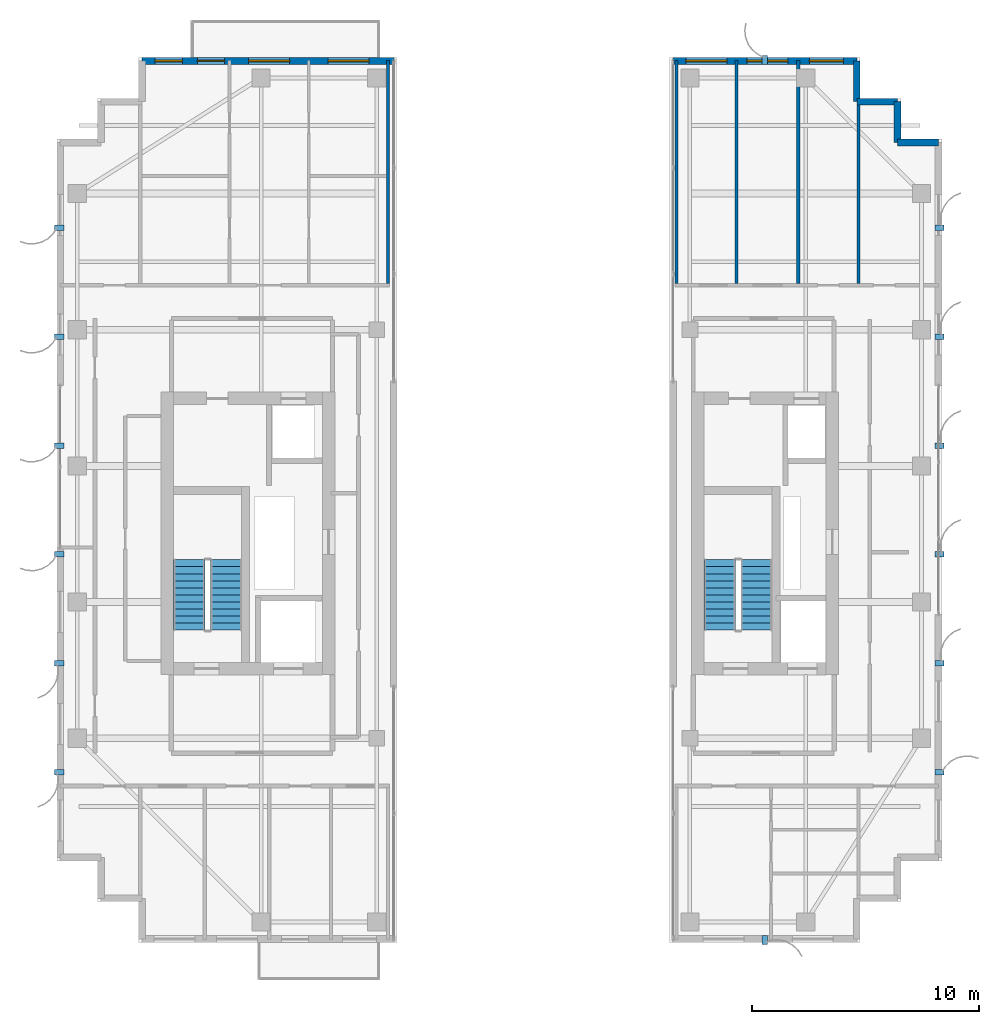
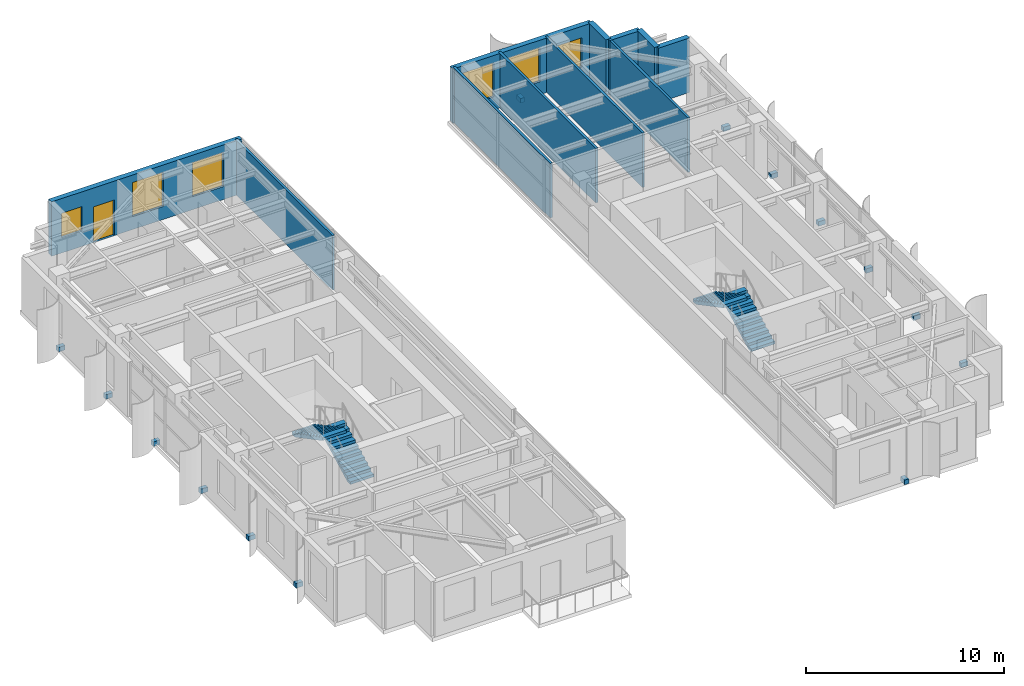
# One storey, part 20 of 23: 14 discrete accessories, 11 walls, 6 windows, 4 stair flights, 1 door, 7 openings, 2 elements without a shape of their own.
"""IFC4 building model written with IfcOpenShell, lengths in metres."""

from ifc_helpers import new_model, si_unit, direction, frame, frame_2d, origin, origin_2d, place, context, subcontext, project, spatial, polyline, rectangle, outline, extrude, source, transform, mapped, material, layer, layer_set, type_object, element, fill, aggregate, save


model = new_model("IFC4")

# Units and contexts
model_context = context("Model", 3, precision=1e-05, world=origin(), true_north=direction((0.0, 1.0)))
body_context = subcontext(model_context, "Body", "Model", "MODEL_VIEW")
ifc_project = project(units=[si_unit("LENGTHUNIT", "METRE"), si_unit("AREAUNIT", "SQUARE_METRE"), si_unit("VOLUMEUNIT", "CUBIC_METRE"), si_unit("PLANEANGLEUNIT", "RADIAN"), si_unit("MASSUNIT", "GRAM", prefix="KILO")], contexts=[model_context])

# Site, building, storey
site_placement = place(None, origin())
site = spatial("IfcSite", under=ifc_project, at=site_placement, CompositionType="ELEMENT")
building_placement = place(site_placement, origin())
building = spatial("IfcBuilding", under=site, at=building_placement, Name="Khoralis Quay Care Tower", CompositionType="ELEMENT")
storey_placement = place(building_placement, frame((0.0, 0.0, 245.699951171875)))
storey = spatial("IfcBuildingStorey", under=building, at=storey_placement, Name="L64", CompositionType="ELEMENT", Elevation=245.699951171875)

# Wall, openings, windows, door
ifc_material_1 = material(Name="Precast concrete C45/55", Category="concrete")
ifc_layer_1 = layer(ifc_material_1, 0.300048828125)
ifc_layer_set_1 = layer_set([ifc_layer_1], Name="Precast concrete C45/55")
wall_type_1 = type_object("IfcWallType", Name="WL-EXT-REF-300", PredefinedType="SOLIDWALL", material=ifc_layer_set_1)
wall_1_placement = place(storey_placement, frame((17.85009765625, 41.85009765625, 0.0), z_axis=(0.0, 0.0, 1.0), x_axis=(-1.0, 0.0, 0.0)))
wall_1 = element("IfcWall", 1, at=wall_1_placement, inside=storey, type_object=wall_type_1, Name="L64 External Facade Wall WL-EXT-L64-P1-E2", PredefinedType="SOLIDWALL", context=body_context, shape_type="SweptSolid", body=[
    extrude(rectangle(XDim=11.10009765625, YDim=0.300048828125, at=frame_2d((5.550048828125, 0.0))), origin(), (0.0, 0.0, 1.0), 3.360107421875),
])
opening_1_placement = place(wall_1_placement, frame((1.096923828125, 0.0, 0.800048828125)))
opening_1 = element("IfcOpeningElement", 2, at=opening_1_placement, cuts=wall_1, Name="Opening W2", PredefinedType="OPENING", context=body_context, shape_type="SweptSolid", body=[
    extrude(rectangle(XDim=1.800048828125, YDim=2.10009765625, at=frame_2d((0.89990234375, 1.050048828125))), frame((0.0, 0.16015625, 0.0), z_axis=(0.0, -1.0, 0.0), x_axis=(1.0, 0.0, 0.0)), (0.0, 0.0, 1.0), 0.320068359375),
])
opening_2_placement = place(wall_1_placement, frame((4.591552734375, 0.0, 0.800048828125)))
opening_2 = element("IfcOpeningElement", 3, at=opening_2_placement, cuts=wall_1, Name="Opening W2", PredefinedType="OPENING", context=body_context, shape_type="SweptSolid", body=[
    extrude(rectangle(XDim=1.800048828125, YDim=2.10009765625, at=frame_2d((0.89990234375, 1.050048828125))), frame((0.0, 0.16015625, 0.0), z_axis=(0.0, -1.0, 0.0), x_axis=(1.0, 0.0, 0.0)), (0.0, 0.0, 1.0), 0.320068359375),
])
opening_3_placement = place(wall_1_placement, frame((9.320068359375, 0.0, 0.949951171875)))
opening_3 = element("IfcOpeningElement", 4, at=opening_3_placement, cuts=wall_1, Name="Opening W6", PredefinedType="OPENING", context=body_context, shape_type="SweptSolid", body=[
    extrude(rectangle(XDim=1.199951171875, YDim=1.5, at=frame_2d((0.60009765625, 0.75))), frame((0.0, 0.16015625, 0.0), z_axis=(0.0, -1.0, 0.0), x_axis=(1.0, 0.0, 0.0)), (0.0, 0.0, 1.0), 0.320068359375),
])
opening_4_placement = place(wall_1_placement, frame((7.449951171875, 0.0, 0.0)))
opening_4 = element("IfcOpeningElement", 5, at=opening_4_placement, cuts=wall_1, Name="Opening BD1", PredefinedType="OPENING", context=body_context, shape_type="SweptSolid", body=[
    extrude(rectangle(XDim=1.199951171875, YDim=2.199951171875, at=frame_2d((0.60009765625, 1.10009765625))), frame((0.0, 0.16015625, 0.0), z_axis=(0.0, -1.0, 0.0), x_axis=(1.0, 0.0, 0.0)), (0.0, 0.0, 1.0), 0.320068359375),
])
ifc_material_2 = material(Name="Low-E solar-control double glazing", Category="glass")
window_type_1 = type_object("IfcWindowType", Name="WN-SCH-1200X1500", PartitioningType="SINGLE_PANEL", PredefinedType="WINDOW", material=ifc_material_2)
shared_shape_1 = source(origin(), body_context, "Body", "SweptSolid", [
    extrude(rectangle(XDim=1.199951171875, YDim=1.5, at=frame_2d((0.60009765625, 0.75))), frame((0.0, 0.030029296875, 0.0), z_axis=(0.0, -1.0, 0.0), x_axis=(1.0, 0.0, 0.0)), (0.0, 0.0, 1.0), 0.06005859375),
])
window_1_placement = place(opening_3_placement, origin())
window_1 = element("IfcWindow", 6, at=window_1_placement, inside=storey, type_object=window_type_1, Name="WN-L64-P1-E2 Facade Window 03", OverallHeight=1.5, OverallWidth=1.199951171875, PartitioningType="SINGLE_PANEL", PredefinedType="WINDOW", context=body_context, shape_type="MappedRepresentation", body=[
    mapped(shared_shape_1, transform((0.0, 0.0, 0.0), scale=1.0)),
])
fill(opening_3, window_1)
window_type_2 = type_object("IfcWindowType", Name="WN-POD-1800X2100", PartitioningType="SINGLE_PANEL", PredefinedType="WINDOW", material=ifc_material_2)
shared_shape_2 = source(origin(), body_context, "Body", "SweptSolid", [
    extrude(rectangle(XDim=1.800048828125, YDim=2.10009765625, at=frame_2d((0.89990234375, 1.050048828125))), frame((0.0, 0.030029296875, 0.0), z_axis=(0.0, -1.0, 0.0), x_axis=(1.0, 0.0, 0.0)), (0.0, 0.0, 1.0), 0.06005859375),
])
window_2_placement = place(opening_1_placement, origin())
window_2 = element("IfcWindow", 7, at=window_2_placement, inside=storey, type_object=window_type_2, Name="WN-L64-P1-E2 Facade Window 01", OverallHeight=2.10009765625, OverallWidth=1.800048828125, PartitioningType="SINGLE_PANEL", PredefinedType="WINDOW", context=body_context, shape_type="MappedRepresentation", body=[
    mapped(shared_shape_2, transform((0.0, 0.0, 0.0), scale=1.0)),
])
fill(opening_1, window_2)
window_3_placement = place(opening_2_placement, origin())
window_3 = element("IfcWindow", 8, at=window_3_placement, inside=storey, type_object=window_type_2, Name="WN-L64-P1-E2 Facade Window 02", OverallHeight=2.10009765625, OverallWidth=1.800048828125, PartitioningType="SINGLE_PANEL", PredefinedType="WINDOW", context=body_context, shape_type="MappedRepresentation", body=[
    mapped(shared_shape_2, transform((0.0, 0.0, 0.0), scale=1.0)),
])
fill(opening_2, window_3)
ifc_material_3 = material(Name="Anodised aluminium and laminated safety glass", Category="aluminium")
door_type = type_object("IfcDoorType", Name="DR-EXT-BALC-1200X2200", OperationType="NOTDEFINED", PredefinedType="DOOR", material=ifc_material_3)
shared_shape_3 = source(origin(), body_context, "Body", "SweptSolid", [
    extrude(rectangle(XDim=1.199951171875, YDim=2.199951171875, at=frame_2d((0.60009765625, 1.10009765625))), frame((0.0, 0.02490234375, 0.0), z_axis=(0.0, -1.0, 0.0), x_axis=(1.0, 0.0, 0.0)), (0.0, 0.0, 1.0), 0.050048828125),
])
door_placement = place(opening_4_placement, frame((1.199951171875, 0.0, 0.0), z_axis=(0.0, 0.0, 1.0), x_axis=(-1.0, 0.0, 0.0)))
door = element("IfcDoor", 9, at=door_placement, inside=storey, type_object=door_type, Name="L64 Senior Loggia Balcony Door", OperationType="SINGLE_SWING_LEFT", OverallHeight=2.199951171875, OverallWidth=1.199951171875, PredefinedType="DOOR", context=body_context, shape_type="MappedRepresentation", body=[
    mapped(shared_shape_3, transform((0.0, 0.0, 0.0), scale=1.0)),
])
fill(opening_4, door)

# Walls
for number, where, z_axis, x_axis, name in (
    (10, (41.85009765625, 38.25, 0.0), (0.0, 0.0, 1.0), (-1.0, 0.0, 0.0), "L64 External Facade Wall WL-EXT-L64-P2-C6"),
    (11, (40.050048828125, 38.25, 0.0), (0.0, 0.0, 1.0), (0.0, 1.0, 0.0), "L64 External Facade Wall WL-EXT-L64-P2-C7"),
    (12, (40.050048828125, 40.050048828125, 0.0), (0.0, 0.0, 1.0), (-1.0, 0.0, 0.0), "L64 External Facade Wall WL-EXT-L64-P2-C8"),
    (13, (38.25, 40.050048828125, 0.0), (0.0, 0.0, 1.0), (0.0, 1.0, 0.0), "L64 External Facade Wall WL-EXT-L64-P2-C9"),
):
    element("IfcWall", number, at=place(storey_placement, frame(where, z_axis=z_axis, x_axis=x_axis)), inside=storey, type_object=wall_type_1, Name=name, PredefinedType="SOLIDWALL", context=body_context, shape_type="SweptSolid", body=[
        extrude(rectangle(XDim=1.800048828125, YDim=0.300048828125, at=frame_2d((0.89990234375, 0.0))), origin(), (0.0, 0.0, 1.0), 3.360107421875),
    ])

# Wall, openings, windows
wall_2_placement = place(storey_placement, frame((38.25, 41.85009765625, 0.0), z_axis=(0.0, 0.0, 1.0), x_axis=(-1.0, 0.0, 0.0)))
wall_2 = element("IfcWall", 14, at=wall_2_placement, inside=storey, type_object=wall_type_1, Name="L64 External Facade Wall WL-EXT-L64-P2-E10", PredefinedType="SOLIDWALL", context=body_context, shape_type="SweptSolid", body=[
    extrude(rectangle(XDim=8.10009765625, YDim=0.300048828125, at=frame_2d((4.050048828125, 0.0))), origin(), (0.0, 0.0, 1.0), 3.360107421875),
])
opening_5_placement = place(wall_2_placement, frame((0.590087890625, 0.0, 0.85009765625)))
opening_5 = element("IfcOpeningElement", 15, at=opening_5_placement, cuts=wall_2, Name="Opening W3", PredefinedType="OPENING", context=body_context, shape_type="SweptSolid", body=[
    extrude(rectangle(XDim=1.5, YDim=1.800048828125, at=frame_2d((0.75, 0.89990234375))), frame((0.0, 0.16015625, 0.0), z_axis=(0.0, -1.0, 0.0), x_axis=(1.0, 0.0, 0.0)), (0.0, 0.0, 1.0), 0.320068359375),
])
opening_6_placement = place(wall_2_placement, frame((3.0400390625, 0.0, 0.800048828125)))
opening_6 = element("IfcOpeningElement", 16, at=opening_6_placement, cuts=wall_2, Name="Opening W2", PredefinedType="OPENING", context=body_context, shape_type="SweptSolid", body=[
    extrude(rectangle(XDim=1.800048828125, YDim=2.10009765625, at=frame_2d((0.89990234375, 1.050048828125))), frame((0.0, 0.16015625, 0.0), z_axis=(0.0, -1.0, 0.0), x_axis=(1.0, 0.0, 0.0)), (0.0, 0.0, 1.0), 0.320068359375),
])
opening_7_placement = place(wall_2_placement, frame((5.72509765625, 0.0, 0.800048828125)))
opening_7 = element("IfcOpeningElement", 17, at=opening_7_placement, cuts=wall_2, Name="Opening W2", PredefinedType="OPENING", context=body_context, shape_type="SweptSolid", body=[
    extrude(rectangle(XDim=1.800048828125, YDim=2.10009765625, at=frame_2d((0.89990234375, 1.050048828125))), frame((0.0, 0.16015625, 0.0), z_axis=(0.0, -1.0, 0.0), x_axis=(1.0, 0.0, 0.0)), (0.0, 0.0, 1.0), 0.320068359375),
])
window_type_3 = type_object("IfcWindowType", Name="WN-CLIN-1500X1800", PartitioningType="SINGLE_PANEL", PredefinedType="WINDOW", material=ifc_material_2)
shared_shape_4 = source(origin(), body_context, "Body", "SweptSolid", [
    extrude(rectangle(XDim=1.5, YDim=1.800048828125, at=frame_2d((0.75, 0.89990234375))), frame((0.0, 0.030029296875, 0.0), z_axis=(0.0, -1.0, 0.0), x_axis=(1.0, 0.0, 0.0)), (0.0, 0.0, 1.0), 0.06005859375),
])
window_4_placement = place(opening_5_placement, origin())
window_4 = element("IfcWindow", 18, at=window_4_placement, inside=storey, type_object=window_type_3, Name="WN-L64-P2-E10 Facade Window 01", OverallHeight=1.800048828125, OverallWidth=1.5, PartitioningType="SINGLE_PANEL", PredefinedType="WINDOW", context=body_context, shape_type="MappedRepresentation", body=[
    mapped(shared_shape_4, transform((0.0, 0.0, 0.0), scale=1.0)),
])
fill(opening_5, window_4)
window_5_placement = place(opening_6_placement, origin())
window_5 = element("IfcWindow", 19, at=window_5_placement, inside=storey, type_object=window_type_2, Name="WN-L64-P2-E10 Facade Window 02", OverallHeight=2.10009765625, OverallWidth=1.800048828125, PartitioningType="SINGLE_PANEL", PredefinedType="WINDOW", context=body_context, shape_type="MappedRepresentation", body=[
    mapped(shared_shape_2, transform((0.0, 0.0, 0.0), scale=1.0)),
])
fill(opening_6, window_5)
window_6_placement = place(opening_7_placement, origin())
window_6 = element("IfcWindow", 20, at=window_6_placement, inside=storey, type_object=window_type_2, Name="WN-L64-P2-E10 Facade Window 03", OverallHeight=2.10009765625, OverallWidth=1.800048828125, PartitioningType="SINGLE_PANEL", PredefinedType="WINDOW", context=body_context, shape_type="MappedRepresentation", body=[
    mapped(shared_shape_2, transform((0.0, 0.0, 0.0), scale=1.0)),
])
fill(opening_7, window_6)

# Walls
ifc_material_4 = material(Name="Gypsum plasterboard on acoustic metal stud")
ifc_layer_2 = layer(ifc_material_4, 0.139892578125)
ifc_layer_set_2 = layer_set([ifc_layer_2], Name="Gypsum plasterboard on acoustic metal stud")
wall_type_2 = type_object("IfcWallType", Name="WL-UNIT-140", PredefinedType="PARTITIONING", material=ifc_layer_set_2)
for number, where, z_axis, x_axis, name in (
    (21, (17.60009765625, 32.03759765625, 0.0), (0.0, 0.0, 1.0), (0.0, 1.0, 0.0), "L64 WN Demising Wall 1"),
    (22, (30.300048828125, 32.03759765625, 0.0), (0.0, 0.0, 1.0), (0.0, 1.0, 0.0), "L64 EN Demising Wall 0"),
    (23, (32.949951171875, 32.03759765625, 0.0), (0.0, 0.0, 1.0), (0.0, 1.0, 0.0), "L64 EN Demising Wall 1"),
    (24, (35.669921875, 32.03759765625, 0.0), (0.0, 0.0, 1.0), (0.0, 1.0, 0.0), "L64 EN Demising Wall 2"),
):
    element("IfcWall", number, at=place(storey_placement, frame(where, z_axis=z_axis, x_axis=x_axis)), inside=storey, type_object=wall_type_2, Name=name, PredefinedType="PARTITIONING", context=body_context, shape_type="SweptSolid", body=[
        extrude(rectangle(XDim=9.8173828125, YDim=0.139892578125, at=frame_2d((4.90869140625, 0.0))), origin(), (0.0, 0.0, 1.0), 3.360107421875),
    ])
wall_3_placement = place(storey_placement, frame((38.320068359375, 32.03759765625, 0.0), z_axis=(0.0, 0.0, 1.0), x_axis=(0.0, 1.0, 0.0)))
element("IfcWall", 25, at=wall_3_placement, inside=storey, type_object=wall_type_2, Name="L64 EN Demising Wall 3", PredefinedType="PARTITIONING", context=body_context, shape_type="SweptSolid", body=[
    extrude(rectangle(XDim=8.017333984375, YDim=0.139892578125, at=frame_2d((4.0087890625, 0.0))), origin(), (0.0, 0.0, 1.0), 3.360107421875),
])

# Stair, stair flights
stair_type = type_object("IfcStairType", Name="ST-TWR-DOGLEG-1400", PredefinedType="HALF_TURN_STAIR", material=ifc_material_1)
stair_1_placement = place(storey_placement, origin())
stair_1 = element("IfcStair", 26, at=stair_1_placement, inside=storey, type_object=stair_type, Name="L64 West Core Exit Stair ST-T1", PredefinedType="HALF_TURN_STAIR")
stair_flight_type = type_object("IfcStairFlightType", Name="SF-TWR-1400", PredefinedType="STRAIGHT", material=ifc_material_1)
shared_shape_5 = source(origin(), body_context, "Body", "SweptSolid", [
    extrude(outline(polyline([(0.0, 0.0), (0.0, 0.16357421875), (0.31005859375, 0.16357421875), (0.31005859375, 0.327392578125), (0.6201171875, 0.327392578125), (0.6201171875, 0.490966796875), (0.929931640625, 0.490966796875), (0.929931640625, 0.654541015625), (1.239990234375, 0.654541015625), (1.239990234375, 0.818115234375), (1.550048828125, 0.818115234375), (1.550048828125, 0.98193359375), (1.860107421875, 0.98193359375), (1.860107421875, 1.1455078125), (2.169921875, 1.1455078125), (2.169921875, 1.30908203125), (2.47998046875, 1.30908203125), (2.47998046875, 1.47265625), (2.7900390625, 1.47265625), (2.7900390625, 1.636474609375), (3.10009765625, 1.636474609375), (3.10009765625, 1.800048828125), (3.10009765625, 1.466796875), (0.321044921875, 0.0), (0.0, 0.0)])), frame((0.0, 0.68994140625, 0.0), z_axis=(0.0, -1.0, 0.0), x_axis=(1.0, 0.0, 0.0)), (0.0, 0.0, 1.0), 1.3798828125),
])
stair_flight_1_placement = place(storey_placement, frame((10.4599609375, 16.77001953125, 0.0), z_axis=(0.0, 0.0, 1.0), x_axis=(0.0, 1.0, 0.0)))
stair_flight_1 = element("IfcStairFlight", 27, at=stair_flight_1_placement, type_object=stair_flight_type, Name="ST-T1 flight 1", NumberOfRisers=11, NumberOfTreads=10, PredefinedType="STRAIGHT", RiserHeight=0.163636364, TreadLength=0.31, context=body_context, shape_type="MappedRepresentation", body=[
    mapped(shared_shape_5, transform((0.0, 0.0, 0.0), scale=1.0)),
])
stair_flight_2_placement = place(storey_placement, frame((8.840087890625, 19.8701171875, 1.800048828125), z_axis=(0.0, 0.0, 1.0), x_axis=(0.0, -1.0, 0.0)))
stair_flight_2 = element("IfcStairFlight", 28, at=stair_flight_2_placement, type_object=stair_flight_type, Name="ST-T1 flight 2", NumberOfRisers=11, NumberOfTreads=10, PredefinedType="STRAIGHT", RiserHeight=0.163636364, TreadLength=0.31, context=body_context, shape_type="MappedRepresentation", body=[
    mapped(shared_shape_5, transform((0.0, 0.0, 0.0), scale=1.0)),
])
aggregate(stair_1, [stair_flight_1, stair_flight_2])

stair_2_placement = place(storey_placement, origin())
stair_2 = element("IfcStair", 29, at=stair_2_placement, inside=storey, type_object=stair_type, Name="L64 East Core Exit Stair ST-T2", PredefinedType="HALF_TURN_STAIR")
stair_flight_3_placement = place(storey_placement, frame((33.830078125, 16.77001953125, 0.0), z_axis=(0.0, 0.0, 1.0), x_axis=(0.0, 1.0, 0.0)))
stair_flight_3 = element("IfcStairFlight", 30, at=stair_flight_3_placement, type_object=stair_flight_type, Name="ST-T2 flight 1", NumberOfRisers=11, NumberOfTreads=10, PredefinedType="STRAIGHT", RiserHeight=0.163636364, TreadLength=0.31, context=body_context, shape_type="MappedRepresentation", body=[
    mapped(shared_shape_5, transform((0.0, 0.0, 0.0), scale=1.0)),
])
stair_flight_4_placement = place(storey_placement, frame((32.2099609375, 19.8701171875, 1.800048828125), z_axis=(0.0, 0.0, 1.0), x_axis=(0.0, -1.0, 0.0)))
stair_flight_4 = element("IfcStairFlight", 31, at=stair_flight_4_placement, type_object=stair_flight_type, Name="ST-T2 flight 2", NumberOfRisers=11, NumberOfTreads=10, PredefinedType="STRAIGHT", RiserHeight=0.163636364, TreadLength=0.31, context=body_context, shape_type="MappedRepresentation", body=[
    mapped(shared_shape_5, transform((0.0, 0.0, 0.0), scale=1.0)),
])
aggregate(stair_2, [stair_flight_3, stair_flight_4])

# Discrete accessories
ifc_material_5 = material(Name="Brushed stainless steel", Category="steel")
discrete_accessory_type = type_object("IfcDiscreteAccessoryType", Name="ACC-FIN-BRACKET", PredefinedType="BRACKET", material=ifc_material_5)
shared_shape_6 = source(origin(), body_context, "Body", "SweptSolid", [
    extrude(rectangle(XDim=0.39990234375, YDim=0.239990234375, at=origin_2d()), origin(), (0.0, 0.0, 1.0), 0.280029296875),
])
for number, where, z_axis, x_axis, name in (
    (32, (3.110107421875, 34.5, -0.1201171875), (0.0, 0.0, 1.0), (-1.0, 0.0, 0.0), "L64 Solar Fin Bracket P1E7-01"),
    (33, (3.110107421875, 29.699951171875, -0.1201171875), (0.0, 0.0, 1.0), (-1.0, 0.0, 0.0), "L64 Solar Fin Bracket P1E7-02"),
    (34, (3.110107421875, 24.89990234375, -0.1201171875), (0.0, 0.0, 1.0), (-1.0, 0.0, 0.0), "L64 Solar Fin Bracket P1E7-03"),
    (35, (3.110107421875, 20.10009765625, -0.1201171875), (0.0, 0.0, 1.0), (-1.0, 0.0, 0.0), "L64 Solar Fin Bracket P1E7-04"),
    (36, (3.110107421875, 15.300048828125, -0.1201171875), (0.0, 0.0, 1.0), (-1.0, 0.0, 0.0), "L64 Solar Fin Bracket P1E7-05"),
    (37, (3.110107421875, 10.5, -0.1201171875), (0.0, 0.0, 1.0), (-1.0, 0.0, 0.0), "L64 Solar Fin Bracket P1E7-06"),
    (38, (34.199951171875, 3.110107421875, -0.1201171875), (0.0, 0.0, 1.0), (0.0, -1.0, 0.0), "L64 Solar Fin Bracket P2E0-01"),
    (39, (41.889892578125, 10.5, -0.1201171875), (0.0, 0.0, 1.0), (1.0, 0.0, 0.0), "L64 Solar Fin Bracket P2E5-01"),
    (40, (41.889892578125, 15.300048828125, -0.1201171875), (0.0, 0.0, 1.0), (1.0, 0.0, 0.0), "L64 Solar Fin Bracket P2E5-02"),
    (41, (41.889892578125, 20.10009765625, -0.1201171875), (0.0, 0.0, 1.0), (1.0, 0.0, 0.0), "L64 Solar Fin Bracket P2E5-03"),
    (42, (41.889892578125, 24.89990234375, -0.1201171875), (0.0, 0.0, 1.0), (1.0, 0.0, 0.0), "L64 Solar Fin Bracket P2E5-04"),
    (43, (41.889892578125, 29.699951171875, -0.1201171875), (0.0, 0.0, 1.0), (1.0, 0.0, 0.0), "L64 Solar Fin Bracket P2E5-05"),
    (44, (41.889892578125, 34.5, -0.1201171875), (0.0, 0.0, 1.0), (1.0, 0.0, 0.0), "L64 Solar Fin Bracket P2E5-06"),
    (45, (34.199951171875, 41.889892578125, -0.1201171875), (0.0, 0.0, 1.0), (0.0, 1.0, 0.0), "L64 Solar Fin Bracket P2E10-01"),
):
    element("IfcDiscreteAccessory", number, at=place(storey_placement, frame(where, z_axis=z_axis, x_axis=x_axis)), inside=storey, type_object=discrete_accessory_type, Name=name, PredefinedType="BRACKET", context=body_context, shape_type="MappedRepresentation", body=[
        mapped(shared_shape_6, transform((0.0, 0.0, 0.0), scale=1.0)),
    ])

save(model, "model.ifc")
